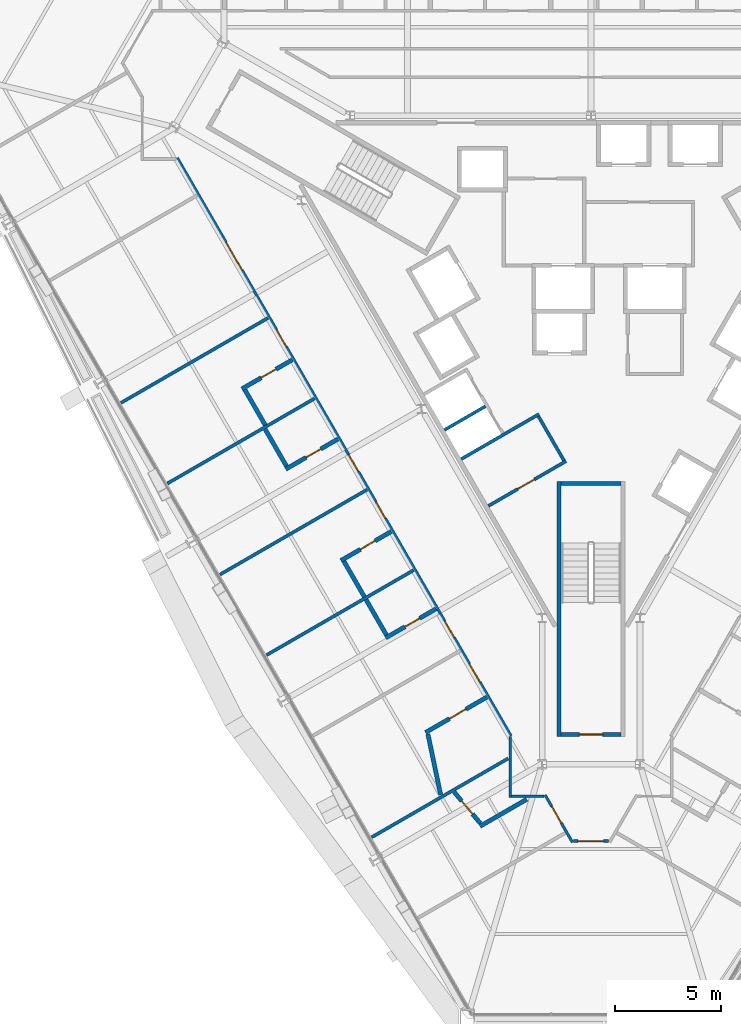
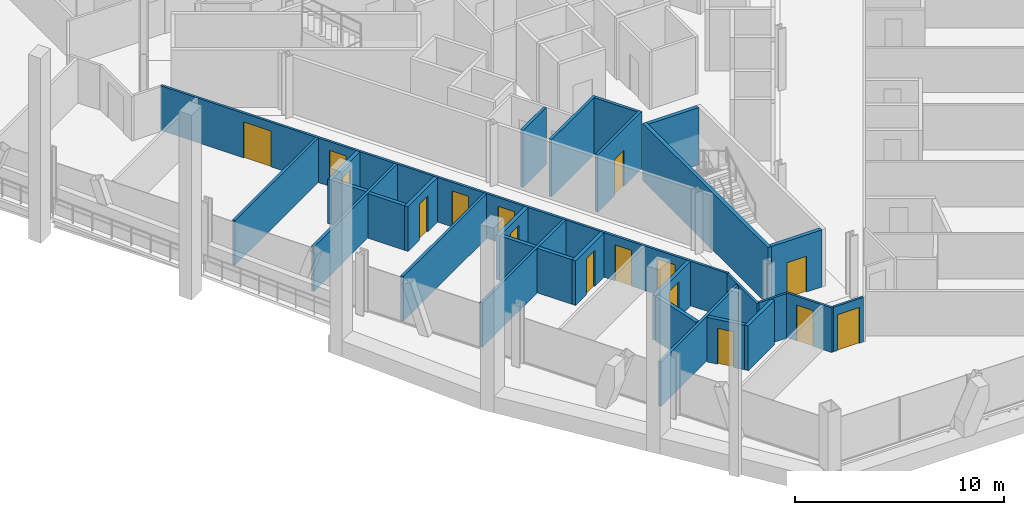
# One storey, part 11 of 19: 29 walls, 16 doors, 16 openings.
"""IFC4 building model written with IfcOpenShell, lengths in metres."""

from ifc_helpers import new_model, si_unit, direction, frame, frame_2d, origin, place, context, subcontext, project, spatial, rectangle, extrude, material, layer, layer_set, type_object, element, fill, save


model = new_model("IFC4")

# Units and contexts
model_context = context("Model", 3, precision=1e-05, world=origin(), true_north=direction((0.0, 1.0)))
body_context = subcontext(model_context, "Body", "Model", "MODEL_VIEW")
ifc_project = project(units=[si_unit("LENGTHUNIT", "METRE"), si_unit("AREAUNIT", "SQUARE_METRE"), si_unit("VOLUMEUNIT", "CUBIC_METRE"), si_unit("PLANEANGLEUNIT", "RADIAN"), si_unit("MASSUNIT", "GRAM", prefix="KILO")], contexts=[model_context])

# Site, building, storey
site_placement = place(None, origin())
site = spatial("IfcSite", under=ifc_project, at=site_placement, CompositionType="ELEMENT")
building_placement = place(site_placement, origin())
building = spatial("IfcBuilding", under=site, at=building_placement, Name="Verrane Prism Tower", CompositionType="ELEMENT")
storey_placement = place(building_placement, frame((0.0, 0.0, 76.39990234375)))
storey = spatial("IfcBuildingStorey", under=building, at=storey_placement, Name="L17", CompositionType="ELEMENT", Elevation=76.39990234375)

# Wall, opening, door
ifc_material_1 = material(Name="Concrete C40/50", Category="concrete")
ifc_layer_1 = layer(ifc_material_1, 0.199951171875)
ifc_layer_set_1 = layer_set([ifc_layer_1], Name="CW-200 stair core wall concrete C40/50 3 h")
wall_type_1 = type_object("IfcWallType", Name="CW-200 stair core wall concrete C40/50 3 h", PredefinedType="PARTITIONING", material=ifc_layer_set_1)
wall_1_placement = place(storey_placement, frame((-1.39990234375, -19.89990234375, 0.0), z_axis=(0.0, 0.0, 1.0), x_axis=(1.0, 0.0, 0.0)))
wall_1 = element("IfcWall", 1, at=wall_1_placement, inside=storey, type_object=wall_type_1, Name="Stair 3 enclosure wall", PredefinedType="PARTITIONING", context=body_context, shape_type="SweptSolid", body=[
    extrude(rectangle(XDim=2.7998046875, YDim=0.199951171875, at=frame_2d((1.39990234375, 0.0))), origin(), (0.0, 0.0, 1.0), 3.35009765625),
])
opening_1_placement = place(wall_1_placement, frame((0.85009765625, 0.0, 0.0)))
opening_1 = element("IfcOpeningElement", 2, at=opening_1_placement, cuts=wall_1, Name="Opening D17502", PredefinedType="OPENING", context=body_context, shape_type="SweptSolid", body=[
    extrude(rectangle(XDim=1.10009765625, YDim=2.10009765625, at=frame_2d((0.550048828125, 1.050048828125))), frame((0.0, 0.10986328125, 0.0), z_axis=(0.0, -1.0, 0.0), x_axis=(1.0, 0.0, 0.0)), (0.0, 0.0, 1.0), 0.219970703125),
])
ifc_material_2 = material(Name="Timber veneered door leaf", Category="wood")
door_type_1 = type_object("IfcDoorType", Name="DR-1100x2100 FD90 single leaf stair", OperationType="NOTDEFINED", PredefinedType="DOOR", material=ifc_material_2)
door_1_placement = place(opening_1_placement, origin())
door_1 = element("IfcDoor", 3, at=door_1_placement, inside=storey, type_object=door_type_1, Name="Stair 3 door", OperationType="SINGLE_SWING_LEFT", OverallHeight=2.10009765625, OverallWidth=1.10009765625, PredefinedType="DOOR", context=body_context, shape_type="SweptSolid", body=[
    extrude(rectangle(XDim=1.10009765625, YDim=2.10009765625, at=frame_2d((0.550048828125, 1.050048828125))), frame((0.0, 0.02490234375, 0.0), z_axis=(0.0, -1.0, 0.0), x_axis=(1.0, 0.0, 0.0)), (0.0, 0.0, 1.0), 0.050048828125),
])
fill(opening_1, door_1)

# Walls
wall_2_placement = place(storey_placement, frame((-1.5, -8.0, 0.0), z_axis=(0.0, 0.0, 1.0), x_axis=(0.0, -1.0, 0.0)))
element("IfcWall", 4, at=wall_2_placement, inside=storey, type_object=wall_type_1, Name="Stair 3 enclosure wall", PredefinedType="PARTITIONING", context=body_context, shape_type="SweptSolid", body=[
    extrude(rectangle(XDim=12.0, YDim=0.199951171875, at=frame_2d((6.0, 0.0))), origin(), (0.0, 0.0, 1.0), 3.35009765625),
])
wall_3_placement = place(storey_placement, frame((-1.39990234375, -8.10009765625, 0.0), z_axis=(0.0, 0.0, 1.0), x_axis=(1.0, 0.0, 0.0)))
element("IfcWall", 5, at=wall_3_placement, inside=storey, type_object=wall_type_1, Name="Stair 3 enclosure wall", PredefinedType="PARTITIONING", context=body_context, shape_type="SweptSolid", body=[
    extrude(rectangle(XDim=2.7998046875, YDim=0.199951171875, at=frame_2d((1.39990234375, 0.0))), origin(), (0.0, 0.0, 1.0), 3.35009765625),
])

# Wall, openings, doors
ifc_material_3 = material(Name="Gypsum board partition", Category="other")
ifc_layer_2 = layer(ifc_material_3, 0.125)
ifc_layer_set_2 = layer_set([ifc_layer_2], Name="PW-125 corridor wall 1 h")
wall_type_2 = type_object("IfcWallType", Name="PW-125 corridor wall 1 h", PredefinedType="PARTITIONING", material=ifc_layer_set_2)
wall_4_placement = place(storey_placement, frame((-3.765869140625, -19.9580078125, 0.0), z_axis=(0.0, 0.0, 1.0), x_axis=(-0.50002170027, 0.866012874765, 0.0)))
wall_4 = element("IfcWall", 6, at=wall_4_placement, inside=storey, type_object=wall_type_2, Name="Corridor wall 012", PredefinedType="PARTITIONING", context=body_context, shape_type="SweptSolid", body=[
    extrude(rectangle(XDim=31.37939453125, YDim=0.125, at=frame_2d((15.689697265625, 0.0))), origin(), (0.0, 0.0, 1.0), 2.613037109375),
])
opening_2_placement = place(wall_4_placement, frame((25.2802734375, 0.0, 0.0)))
opening_2 = element("IfcOpeningElement", 7, at=opening_2_placement, cuts=wall_4, Name="Opening D17036", PredefinedType="OPENING", context=body_context, shape_type="SweptSolid", body=[
    extrude(rectangle(XDim=1.5, YDim=2.10009765625, at=frame_2d((0.75, 1.050048828125))), frame((0.0, 0.072509765625, 0.0), z_axis=(0.0, -1.0, 0.0), x_axis=(1.0, 0.0, 0.0)), (0.0, 0.0, 1.0), 0.14501953125),
])
opening_3_placement = place(wall_4_placement, frame((21.124267578125, 0.0, 0.0)))
opening_3 = element("IfcOpeningElement", 8, at=opening_3_placement, cuts=wall_4, Name="Opening D17037", PredefinedType="OPENING", context=body_context, shape_type="SweptSolid", body=[
    extrude(rectangle(XDim=0.89990234375, YDim=2.10009765625, at=frame_2d((0.449951171875, 1.050048828125))), frame((0.0, 0.072509765625, 0.0), z_axis=(0.0, -1.0, 0.0), x_axis=(1.0, 0.0, 0.0)), (0.0, 0.0, 1.0), 0.14501953125),
])
opening_4_placement = place(wall_4_placement, frame((14.34912109375, 0.0, 0.0)))
opening_4 = element("IfcOpeningElement", 9, at=opening_4_placement, cuts=wall_4, Name="Opening D17039", PredefinedType="OPENING", context=body_context, shape_type="SweptSolid", body=[
    extrude(rectangle(XDim=0.89990234375, YDim=2.10009765625, at=frame_2d((0.449951171875, 1.050048828125))), frame((0.0, 0.072509765625, 0.0), z_axis=(0.0, -1.0, 0.0), x_axis=(1.0, 0.0, 0.0)), (0.0, 0.0, 1.0), 0.14501953125),
])
opening_5_placement = place(wall_4_placement, frame((11.80419921875, 0.0, 0.0)))
opening_5 = element("IfcOpeningElement", 10, at=opening_5_placement, cuts=wall_4, Name="Opening D17041", PredefinedType="OPENING", context=body_context, shape_type="SweptSolid", body=[
    extrude(rectangle(XDim=0.89990234375, YDim=2.10009765625, at=frame_2d((0.449951171875, 1.050048828125))), frame((0.0, 0.072509765625, 0.0), z_axis=(0.0, -1.0, 0.0), x_axis=(1.0, 0.0, 0.0)), (0.0, 0.0, 1.0), 0.14501953125),
])
opening_6_placement = place(wall_4_placement, frame((5.330322265625, 0.0, 0.0)))
opening_6 = element("IfcOpeningElement", 11, at=opening_6_placement, cuts=wall_4, Name="Opening D17043", PredefinedType="OPENING", context=body_context, shape_type="SweptSolid", body=[
    extrude(rectangle(XDim=0.89990234375, YDim=2.10009765625, at=frame_2d((0.449951171875, 1.050048828125))), frame((0.0, 0.072509765625, 0.0), z_axis=(0.0, -1.0, 0.0), x_axis=(1.0, 0.0, 0.0)), (0.0, 0.0, 1.0), 0.14501953125),
])
opening_7_placement = place(wall_4_placement, frame((2.90625, 0.0, 0.0)))
opening_7 = element("IfcOpeningElement", 12, at=opening_7_placement, cuts=wall_4, Name="Opening D17045", PredefinedType="OPENING", context=body_context, shape_type="SweptSolid", body=[
    extrude(rectangle(XDim=1.0, YDim=2.10009765625, at=frame_2d((0.5, 1.050048828125))), frame((0.0, 0.072509765625, 0.0), z_axis=(0.0, -1.0, 0.0), x_axis=(1.0, 0.0, 0.0)), (0.0, 0.0, 1.0), 0.14501953125),
])
ifc_material_4 = material(Name="Timber veneered door leaf", Category="wood")
door_type_2 = type_object("IfcDoorType", Name="DR-1000x2100 FD20 single leaf unit", OperationType="NOTDEFINED", PredefinedType="DOOR", material=ifc_material_4)
door_2_placement = place(opening_7_placement, origin())
door_2 = element("IfcDoor", 13, at=door_2_placement, inside=storey, type_object=door_type_2, Name="Accessible Guest Room door", OperationType="SINGLE_SWING_RIGHT", OverallHeight=2.10009765625, OverallWidth=1.0, PredefinedType="DOOR", context=body_context, shape_type="SweptSolid", body=[
    extrude(rectangle(XDim=1.0, YDim=2.10009765625, at=frame_2d((0.5, 1.050048828125))), frame((0.0, 0.02490234375, 0.0), z_axis=(0.0, -1.0, 0.0), x_axis=(1.0, 0.0, 0.0)), (0.0, 0.0, 1.0), 0.050048828125),
])
fill(opening_7, door_2)
ifc_material_5 = material(Name="Timber veneered door leaf", Category="wood")
door_type_3 = type_object("IfcDoorType", Name="DR-1500x2100 FD20 double leaf public", OperationType="NOTDEFINED", PredefinedType="DOOR", material=ifc_material_5)
door_3_placement = place(opening_2_placement, origin())
door_3 = element("IfcDoor", 14, at=door_3_placement, inside=storey, type_object=door_type_3, Name="Meeting Room door", OperationType="DOUBLE_DOOR_SINGLE_SWING", OverallHeight=2.10009765625, OverallWidth=1.5, PredefinedType="DOOR", context=body_context, shape_type="SweptSolid", body=[
    extrude(rectangle(XDim=1.5, YDim=2.10009765625, at=frame_2d((0.75, 1.050048828125))), frame((0.0, 0.02490234375, 0.0), z_axis=(0.0, -1.0, 0.0), x_axis=(1.0, 0.0, 0.0)), (0.0, 0.0, 1.0), 0.050048828125),
])
fill(opening_2, door_3)
ifc_material_6 = material(Name="Timber veneered door leaf", Category="wood")
door_type_4 = type_object("IfcDoorType", Name="DR-900x2100 FD20 single leaf unit", OperationType="NOTDEFINED", PredefinedType="DOOR", material=ifc_material_6)
door_4_placement = place(opening_3_placement, origin())
door_4 = element("IfcDoor", 15, at=door_4_placement, inside=storey, type_object=door_type_4, Name="Guest Room door", OperationType="SINGLE_SWING_RIGHT", OverallHeight=2.10009765625, OverallWidth=0.89990234375, PredefinedType="DOOR", context=body_context, shape_type="SweptSolid", body=[
    extrude(rectangle(XDim=0.89990234375, YDim=2.10009765625, at=frame_2d((0.449951171875, 1.050048828125))), frame((0.0, 0.02490234375, 0.0), z_axis=(0.0, -1.0, 0.0), x_axis=(1.0, 0.0, 0.0)), (0.0, 0.0, 1.0), 0.050048828125),
])
fill(opening_3, door_4)
door_5_placement = place(opening_4_placement, origin())
door_5 = element("IfcDoor", 16, at=door_5_placement, inside=storey, type_object=door_type_4, Name="Guest Room door", OperationType="SINGLE_SWING_RIGHT", OverallHeight=2.10009765625, OverallWidth=0.89990234375, PredefinedType="DOOR", context=body_context, shape_type="SweptSolid", body=[
    extrude(rectangle(XDim=0.89990234375, YDim=2.10009765625, at=frame_2d((0.449951171875, 1.050048828125))), frame((0.0, 0.02490234375, 0.0), z_axis=(0.0, -1.0, 0.0), x_axis=(1.0, 0.0, 0.0)), (0.0, 0.0, 1.0), 0.050048828125),
])
fill(opening_4, door_5)
door_6_placement = place(opening_5_placement, origin())
door_6 = element("IfcDoor", 17, at=door_6_placement, inside=storey, type_object=door_type_4, Name="Guest Room door", OperationType="SINGLE_SWING_RIGHT", OverallHeight=2.10009765625, OverallWidth=0.89990234375, PredefinedType="DOOR", context=body_context, shape_type="SweptSolid", body=[
    extrude(rectangle(XDim=0.89990234375, YDim=2.10009765625, at=frame_2d((0.449951171875, 1.050048828125))), frame((0.0, 0.02490234375, 0.0), z_axis=(0.0, -1.0, 0.0), x_axis=(1.0, 0.0, 0.0)), (0.0, 0.0, 1.0), 0.050048828125),
])
fill(opening_5, door_6)
door_7_placement = place(opening_6_placement, origin())
door_7 = element("IfcDoor", 18, at=door_7_placement, inside=storey, type_object=door_type_4, Name="Guest Room door", OperationType="SINGLE_SWING_RIGHT", OverallHeight=2.10009765625, OverallWidth=0.89990234375, PredefinedType="DOOR", context=body_context, shape_type="SweptSolid", body=[
    extrude(rectangle(XDim=0.89990234375, YDim=2.10009765625, at=frame_2d((0.449951171875, 1.050048828125))), frame((0.0, 0.02490234375, 0.0), z_axis=(0.0, -1.0, 0.0), x_axis=(1.0, 0.0, 0.0)), (0.0, 0.0, 1.0), 0.050048828125),
])
fill(opening_6, door_7)

# Walls
wall_5_placement = place(storey_placement, frame((-3.797119140625, -22.859619140625, 0.0), z_axis=(0.0, 0.0, 1.0), x_axis=(0.0, 1.0, 0.0)))
element("IfcWall", 19, at=wall_5_placement, inside=storey, type_object=wall_type_2, Name="Corridor wall 041", PredefinedType="PARTITIONING", context=body_context, shape_type="SweptSolid", body=[
    extrude(rectangle(XDim=2.87060546875, YDim=0.125, at=frame_2d((1.435302734375, 0.0))), origin(), (0.0, 0.0, 1.0), 2.613037109375),
])
wall_6_placement = place(storey_placement, frame((-3.73193359375, -22.797119140625, 0.0), z_axis=(0.0, 0.0, 1.0), x_axis=(1.0, 0.0, 0.0)))
element("IfcWall", 20, at=wall_6_placement, inside=storey, type_object=wall_type_2, Name="Corridor wall 042", PredefinedType="PARTITIONING", context=body_context, shape_type="SweptSolid", body=[
    extrude(rectangle(XDim=1.52001953125, YDim=0.125, at=frame_2d((0.760009765625, 0.0))), origin(), (0.0, 0.0, 1.0), 2.613037109375),
])

# Wall, opening, door
wall_7_placement = place(storey_placement, frame((-0.876708984375, -24.962158203125, 0.0), z_axis=(0.0, 0.0, 1.0), x_axis=(-0.500063308241, 0.865988849669, 0.0)))
wall_7 = element("IfcWall", 21, at=wall_7_placement, inside=storey, type_object=wall_type_2, Name="Corridor wall 043", PredefinedType="PARTITIONING", context=body_context, shape_type="SweptSolid", body=[
    extrude(rectangle(XDim=2.562744140625, YDim=0.125, at=frame_2d((1.28125, 0.0))), origin(), (0.0, 0.0, 1.0), 2.613037109375),
])
opening_8_placement = place(wall_7_placement, frame((1.05029296875, 0.0, 0.0)))
opening_8 = element("IfcOpeningElement", 22, at=opening_8_placement, cuts=wall_7, Name="Opening D17047", PredefinedType="OPENING", context=body_context, shape_type="SweptSolid", body=[
    extrude(rectangle(XDim=0.89990234375, YDim=2.10009765625, at=frame_2d((0.449951171875, 1.050048828125))), frame((0.0, 0.072509765625, 0.0), z_axis=(0.0, -1.0, 0.0), x_axis=(1.0, 0.0, 0.0)), (0.0, 0.0, 1.0), 0.14501953125),
])
door_8_placement = place(opening_8_placement, origin())
door_8 = element("IfcDoor", 23, at=door_8_placement, inside=storey, type_object=door_type_4, Name="Guest Room door", OperationType="SINGLE_SWING_RIGHT", OverallHeight=2.10009765625, OverallWidth=0.89990234375, PredefinedType="DOOR", context=body_context, shape_type="SweptSolid", body=[
    extrude(rectangle(XDim=0.89990234375, YDim=2.10009765625, at=frame_2d((0.449951171875, 1.050048828125))), frame((0.0, 0.02490234375, 0.0), z_axis=(0.0, -1.0, 0.0), x_axis=(1.0, 0.0, 0.0)), (0.0, 0.0, 1.0), 0.050048828125),
])
fill(opening_8, door_8)

wall_8_placement = place(storey_placement, frame((0.822998046875, -24.907958984375, 0.0), z_axis=(0.0, 0.0, 1.0), x_axis=(-1.0, 0.0, 0.0)))
wall_8 = element("IfcWall", 24, at=wall_8_placement, inside=storey, type_object=wall_type_2, Name="Corridor wall 046", PredefinedType="PARTITIONING", context=body_context, shape_type="SweptSolid", body=[
    extrude(rectangle(XDim=1.64599609375, YDim=0.125, at=frame_2d((0.822998046875, 0.0))), origin(), (0.0, 0.0, 1.0), 2.613037109375),
])
opening_9_placement = place(wall_8_placement, frame((0.23095703125, 0.0, 0.0)))
opening_9 = element("IfcOpeningElement", 25, at=opening_9_placement, cuts=wall_8, Name="Opening D17049", PredefinedType="OPENING", context=body_context, shape_type="SweptSolid", body=[
    extrude(rectangle(XDim=1.199951171875, YDim=2.10009765625, at=frame_2d((0.60009765625, 1.050048828125))), frame((0.0, 0.072509765625, 0.0), z_axis=(0.0, -1.0, 0.0), x_axis=(1.0, 0.0, 0.0)), (0.0, 0.0, 1.0), 0.14501953125),
])
ifc_material_7 = material(Name="Timber veneered door leaf", Category="wood")
door_type_5 = type_object("IfcDoorType", Name="DR-1200x2100 FD20 single leaf public", OperationType="NOTDEFINED", PredefinedType="DOOR", material=ifc_material_7)
door_9_placement = place(opening_9_placement, origin())
door_9 = element("IfcDoor", 26, at=door_9_placement, inside=storey, type_object=door_type_5, Name="Executive Lounge door", OperationType="SINGLE_SWING_RIGHT", OverallHeight=2.10009765625, OverallWidth=1.199951171875, PredefinedType="DOOR", context=body_context, shape_type="SweptSolid", body=[
    extrude(rectangle(XDim=1.199951171875, YDim=2.10009765625, at=frame_2d((0.60009765625, 1.050048828125))), frame((0.0, 0.02490234375, 0.0), z_axis=(0.0, -1.0, 0.0), x_axis=(1.0, 0.0, 0.0)), (0.0, 0.0, 1.0), 0.050048828125),
])
fill(opening_9, door_9)

# Walls
ifc_material_8 = material(Name="Gypsum board partition", Category="other")
ifc_layer_3 = layer(ifc_material_8, 0.14990234375)
ifc_layer_set_3 = layer_set([ifc_layer_3], Name="PW-150 demising wall 1 h")
wall_type_3 = type_object("IfcWallType", Name="PW-150 demising wall 1 h", PredefinedType="PARTITIONING", material=ifc_layer_set_3)
wall_9_placement = place(storey_placement, frame((-22.10302734375, -4.30615234375, 0.0), z_axis=(0.0, 0.0, 1.0), x_axis=(0.866016576429, 0.500015289116, 0.0)))
element("IfcWall", 27, at=wall_9_placement, inside=storey, type_object=wall_type_3, Name="Demising wall 003", PredefinedType="PARTITIONING", context=body_context, shape_type="SweptSolid", body=[
    extrude(rectangle(XDim=7.986572265625, YDim=0.14990234375, at=frame_2d((3.9931640625, 0.0))), origin(), (0.0, 0.0, 1.0), 2.613037109375),
])
for number, where, z_axis, x_axis, name in (
    (28, (-19.91552734375, -8.094970703125, 0.0), (0.0, 0.0, 1.0), (0.865953574939, 0.500124390578, 0.0), "Demising wall 011"),
    (29, (-17.443115234375, -12.377197265625, 0.0), (0.0, 0.0, 1.0), (0.866021771655, 0.500006290979, 0.0), "Demising wall 013"),
    (30, (-15.256103515625, -16.165283203125, 0.0), (0.0, 0.0, 1.0), (0.866008543052, 0.500029202507, 0.0), "Demising wall 018"),
):
    element("IfcWall", number, at=place(storey_placement, frame(where, z_axis=z_axis, x_axis=x_axis)), inside=storey, type_object=wall_type_3, Name=name, PredefinedType="PARTITIONING", context=body_context, shape_type="SweptSolid", body=[
        extrude(rectangle(XDim=7.99169921875, YDim=0.14990234375, at=frame_2d((3.995849609375, 0.0))), origin(), (0.0, 0.0, 1.0), 2.613037109375),
    ])
wall_10_placement = place(storey_placement, frame((-10.31103515625, -24.730224609375, 0.0), z_axis=(0.0, 0.0, 1.0), x_axis=(0.8660132178, 0.500021106151, 0.0)))
element("IfcWall", 31, at=wall_10_placement, inside=storey, type_object=wall_type_3, Name="Demising wall 030", PredefinedType="PARTITIONING", context=body_context, shape_type="SweptSolid", body=[
    extrude(rectangle(XDim=7.406494140625, YDim=0.14990234375, at=frame_2d((3.703125, 0.0))), origin(), (0.0, 0.0, 1.0), 2.613037109375),
])
ifc_material_9 = material(Name="Gypsum board partition", Category="other")
ifc_layer_4 = layer(ifc_material_9, 0.199951171875)
ifc_layer_set_4 = layer_set([ifc_layer_4], Name="PW-200 plumbing wall")
wall_type_4 = type_object("IfcWallType", Name="PW-200 plumbing wall", PredefinedType="PARTITIONING", material=ifc_layer_set_4)
wall_11_placement = place(storey_placement, frame((-16.279052734375, -3.685546875, 0.0), z_axis=(0.0, 0.0, 1.0), x_axis=(0.500190942922, -0.865915134767, 0.0)))
element("IfcWall", 32, at=wall_11_placement, inside=storey, type_object=wall_type_4, Name="Plumbing wall 015", PredefinedType="PARTITIONING", context=body_context, shape_type="SweptSolid", body=[
    extrude(rectangle(XDim=1.924560546875, YDim=0.199951171875, at=frame_2d((0.96240234375, 0.0))), origin(), (0.0, 0.0, 1.0), 2.613037109375),
])

# Wall, opening, door
wall_12_placement = place(storey_placement, frame((-14.045166015625, -2.2802734375, 0.0), z_axis=(0.0, 0.0, 1.0), x_axis=(-0.866005850709, -0.50003386539, 0.0)))
wall_12 = element("IfcWall", 33, at=wall_12_placement, inside=storey, type_object=wall_type_4, Name="Plumbing wall 016", PredefinedType="PARTITIONING", context=body_context, shape_type="SweptSolid", body=[
    extrude(rectangle(XDim=2.737060546875, YDim=0.199951171875, at=frame_2d((1.36865234375, 0.0))), origin(), (0.0, 0.0, 1.0), 2.613037109375),
])
opening_10_placement = place(wall_12_placement, frame((0.88720703125, 0.0, 0.0)))
opening_10 = element("IfcOpeningElement", 34, at=opening_10_placement, cuts=wall_12, Name="Opening D17038", PredefinedType="OPENING", context=body_context, shape_type="SweptSolid", body=[
    extrude(rectangle(XDim=0.800048828125, YDim=2.10009765625, at=frame_2d((0.39990234375, 1.050048828125))), frame((0.0, 0.10986328125, 0.0), z_axis=(0.0, -1.0, 0.0), x_axis=(1.0, 0.0, 0.0)), (0.0, 0.0, 1.0), 0.219970703125),
])
ifc_material_10 = material(Name="Timber veneered door leaf", Category="wood")
door_type_6 = type_object("IfcDoorType", Name="DR-800x2100 single leaf bath", OperationType="NOTDEFINED", PredefinedType="DOOR", material=ifc_material_10)
door_10_placement = place(opening_10_placement, origin())
door_10 = element("IfcDoor", 35, at=door_10_placement, inside=storey, type_object=door_type_6, Name="En-Suite door", OperationType="SINGLE_SWING_LEFT", OverallHeight=2.10009765625, OverallWidth=0.800048828125, PredefinedType="DOOR", context=body_context, shape_type="SweptSolid", body=[
    extrude(rectangle(XDim=0.800048828125, YDim=2.10009765625, at=frame_2d((0.39990234375, 1.050048828125))), frame((0.0, 0.02490234375, 0.0), z_axis=(0.0, -1.0, 0.0), x_axis=(1.0, 0.0, 0.0)), (0.0, 0.0, 1.0), 0.050048828125),
])
fill(opening_10, door_10)

# Wall
wall_13_placement = place(storey_placement, frame((-15.325927734375, -5.536376953125, 0.0), z_axis=(0.0, 0.0, 1.0), x_axis=(0.499868889286, -0.866101087359, 0.0)))
element("IfcWall", 36, at=wall_13_placement, inside=storey, type_object=wall_type_4, Name="Plumbing wall 017", PredefinedType="PARTITIONING", context=body_context, shape_type="SweptSolid", body=[
    extrude(rectangle(XDim=2.0205078125, YDim=0.199951171875, at=frame_2d((1.01025390625, 0.0))), origin(), (0.0, 0.0, 1.0), 2.613037109375),
])

# Wall, opening, door
wall_14_placement = place(storey_placement, frame((-14.3525390625, -7.423095703125, 0.0), z_axis=(0.0, 0.0, 1.0), x_axis=(0.866010792954, 0.500025305846, 0.0)))
wall_14 = element("IfcWall", 37, at=wall_14_placement, inside=storey, type_object=wall_type_4, Name="Plumbing wall 022", PredefinedType="PARTITIONING", context=body_context, shape_type="SweptSolid", body=[
    extrude(rectangle(XDim=2.837646484375, YDim=0.199951171875, at=frame_2d((1.4189453125, 0.0))), origin(), (0.0, 0.0, 1.0), 2.613037109375),
])
opening_11_placement = place(wall_14_placement, frame((1.10009765625, 0.0, 0.0)))
opening_11 = element("IfcOpeningElement", 38, at=opening_11_placement, cuts=wall_14, Name="Opening D17040", PredefinedType="OPENING", context=body_context, shape_type="SweptSolid", body=[
    extrude(rectangle(XDim=0.800048828125, YDim=2.10009765625, at=frame_2d((0.39990234375, 1.050048828125))), frame((0.0, 0.10986328125, 0.0), z_axis=(0.0, -1.0, 0.0), x_axis=(1.0, 0.0, 0.0)), (0.0, 0.0, 1.0), 0.219970703125),
])
door_11_placement = place(opening_11_placement, origin())
door_11 = element("IfcDoor", 39, at=door_11_placement, inside=storey, type_object=door_type_6, Name="En-Suite door", OperationType="SINGLE_SWING_RIGHT", OverallHeight=2.10009765625, OverallWidth=0.800048828125, PredefinedType="DOOR", context=body_context, shape_type="SweptSolid", body=[
    extrude(rectangle(XDim=0.800048828125, YDim=2.10009765625, at=frame_2d((0.39990234375, 1.050048828125))), frame((0.0, 0.02490234375, 0.0), z_axis=(0.0, -1.0, 0.0), x_axis=(1.0, 0.0, 0.0)), (0.0, 0.0, 1.0), 0.050048828125),
])
fill(opening_11, door_11)

# Wall
wall_15_placement = place(storey_placement, frame((-11.618896484375, -11.756591796875, 0.0), z_axis=(0.0, 0.0, 1.0), x_axis=(0.500133489192, -0.865948320045, 0.0)))
element("IfcWall", 40, at=wall_15_placement, inside=storey, type_object=wall_type_4, Name="Plumbing wall 027", PredefinedType="PARTITIONING", context=body_context, shape_type="SweptSolid", body=[
    extrude(rectangle(XDim=1.91943359375, YDim=0.199951171875, at=frame_2d((0.959716796875, 0.0))), origin(), (0.0, 0.0, 1.0), 2.613037109375),
])

# Wall, opening, door
wall_16_placement = place(storey_placement, frame((-9.389404296875, -10.352783203125, 0.0), z_axis=(0.0, 0.0, 1.0), x_axis=(-0.865858193421, -0.500289505072, 0.0)))
wall_16 = element("IfcWall", 41, at=wall_16_placement, inside=storey, type_object=wall_type_4, Name="Plumbing wall 028", PredefinedType="PARTITIONING", context=body_context, shape_type="SweptSolid", body=[
    extrude(rectangle(XDim=2.73291015625, YDim=0.199951171875, at=frame_2d((1.366455078125, 0.0))), origin(), (0.0, 0.0, 1.0), 2.613037109375),
])
opening_12_placement = place(wall_16_placement, frame((0.8828125, 0.0, 0.0)))
opening_12 = element("IfcOpeningElement", 42, at=opening_12_placement, cuts=wall_16, Name="Opening D17042", PredefinedType="OPENING", context=body_context, shape_type="SweptSolid", body=[
    extrude(rectangle(XDim=0.800048828125, YDim=2.10009765625, at=frame_2d((0.39990234375, 1.050048828125))), frame((0.0, 0.10986328125, 0.0), z_axis=(0.0, -1.0, 0.0), x_axis=(1.0, 0.0, 0.0)), (0.0, 0.0, 1.0), 0.219970703125),
])
door_12_placement = place(opening_12_placement, origin())
door_12 = element("IfcDoor", 43, at=door_12_placement, inside=storey, type_object=door_type_6, Name="En-Suite door", OperationType="SINGLE_SWING_LEFT", OverallHeight=2.10009765625, OverallWidth=0.800048828125, PredefinedType="DOOR", context=body_context, shape_type="SweptSolid", body=[
    extrude(rectangle(XDim=0.800048828125, YDim=2.10009765625, at=frame_2d((0.39990234375, 1.050048828125))), frame((0.0, 0.02490234375, 0.0), z_axis=(0.0, -1.0, 0.0), x_axis=(1.0, 0.0, 0.0)), (0.0, 0.0, 1.0), 0.050048828125),
])
fill(opening_12, door_12)

# Wall
wall_17_placement = place(storey_placement, frame((-10.58154296875, -13.552978515625, 0.0), z_axis=(0.0, 0.0, 1.0), x_axis=(0.499971247393, -0.866042003473, 0.0)))
element("IfcWall", 44, at=wall_17_placement, inside=storey, type_object=wall_type_4, Name="Plumbing wall 029", PredefinedType="PARTITIONING", context=body_context, shape_type="SweptSolid", body=[
    extrude(rectangle(XDim=1.92529296875, YDim=0.199951171875, at=frame_2d((0.962646484375, 0.0))), origin(), (0.0, 0.0, 1.0), 2.613037109375),
])

# Wall, opening, door
wall_18_placement = place(storey_placement, frame((-9.655517578125, -15.35693359375, 0.0), z_axis=(0.0, 0.0, 1.0), x_axis=(0.866005850709, 0.50003386539, 0.0)))
wall_18 = element("IfcWall", 45, at=wall_18_placement, inside=storey, type_object=wall_type_4, Name="Plumbing wall 033", PredefinedType="PARTITIONING", context=body_context, shape_type="SweptSolid", body=[
    extrude(rectangle(XDim=2.737060546875, YDim=0.199951171875, at=frame_2d((1.36865234375, 0.0))), origin(), (0.0, 0.0, 1.0), 2.613037109375),
])
opening_13_placement = place(wall_18_placement, frame((1.050048828125, 0.0, 0.0)))
opening_13 = element("IfcOpeningElement", 46, at=opening_13_placement, cuts=wall_18, Name="Opening D17044", PredefinedType="OPENING", context=body_context, shape_type="SweptSolid", body=[
    extrude(rectangle(XDim=0.800048828125, YDim=2.10009765625, at=frame_2d((0.39990234375, 1.050048828125))), frame((0.0, 0.10986328125, 0.0), z_axis=(0.0, -1.0, 0.0), x_axis=(1.0, 0.0, 0.0)), (0.0, 0.0, 1.0), 0.219970703125),
])
door_13_placement = place(opening_13_placement, origin())
door_13 = element("IfcDoor", 47, at=door_13_placement, inside=storey, type_object=door_type_6, Name="En-Suite door", OperationType="SINGLE_SWING_RIGHT", OverallHeight=2.10009765625, OverallWidth=0.800048828125, PredefinedType="DOOR", context=body_context, shape_type="SweptSolid", body=[
    extrude(rectangle(XDim=0.800048828125, YDim=2.10009765625, at=frame_2d((0.39990234375, 1.050048828125))), frame((0.0, 0.02490234375, 0.0), z_axis=(0.0, -1.0, 0.0), x_axis=(1.0, 0.0, 0.0)), (0.0, 0.0, 1.0), 0.050048828125),
])
fill(opening_13, door_13)

# Wall
wall_19_placement = place(storey_placement, frame((-7.66845703125, -19.87744140625, 0.0), z_axis=(0.0, 0.0, 1.0), x_axis=(0.204611748063, -0.978843211426, 0.0)))
element("IfcWall", 48, at=wall_19_placement, inside=storey, type_object=wall_type_4, Name="Plumbing wall 035", PredefinedType="PARTITIONING", context=body_context, shape_type="SweptSolid", body=[
    extrude(rectangle(XDim=2.9208984375, YDim=0.199951171875, at=frame_2d((1.46044921875, 0.0))), origin(), (0.0, 0.0, 1.0), 2.613037109375),
])

# Wall, opening, door
wall_20_placement = place(storey_placement, frame((-4.89013671875, -18.13623046875, 0.0), z_axis=(0.0, 0.0, 1.0), x_axis=(-0.866033317326, -0.499986293093, 0.0)))
wall_20 = element("IfcWall", 49, at=wall_20_placement, inside=storey, type_object=wall_type_4, Name="Plumbing wall 036", PredefinedType="PARTITIONING", context=body_context, shape_type="SweptSolid", body=[
    extrude(rectangle(XDim=3.33740234375, YDim=0.199951171875, at=frame_2d((1.668701171875, 0.0))), origin(), (0.0, 0.0, 1.0), 2.613037109375),
])
opening_14_placement = place(wall_20_placement, frame((1.1376953125, 0.0, 0.0)))
opening_14 = element("IfcOpeningElement", 50, at=opening_14_placement, cuts=wall_20, Name="Opening D17046", PredefinedType="OPENING", context=body_context, shape_type="SweptSolid", body=[
    extrude(rectangle(XDim=0.89990234375, YDim=2.10009765625, at=frame_2d((0.449951171875, 1.050048828125))), frame((0.0, 0.10986328125, 0.0), z_axis=(0.0, -1.0, 0.0), x_axis=(1.0, 0.0, 0.0)), (0.0, 0.0, 1.0), 0.219970703125),
])
ifc_material_11 = material(Name="Timber veneered door leaf", Category="wood")
door_type_7 = type_object("IfcDoorType", Name="DR-900x2100 single leaf bath", OperationType="NOTDEFINED", PredefinedType="DOOR", material=ifc_material_11)
door_14_placement = place(opening_14_placement, origin())
door_14 = element("IfcDoor", 51, at=door_14_placement, inside=storey, type_object=door_type_7, Name="En-Suite door", OperationType="SINGLE_SWING_LEFT", OverallHeight=2.10009765625, OverallWidth=0.89990234375, PredefinedType="DOOR", context=body_context, shape_type="SweptSolid", body=[
    extrude(rectangle(XDim=0.89990234375, YDim=2.10009765625, at=frame_2d((0.449951171875, 1.050048828125))), frame((0.0, 0.02490234375, 0.0), z_axis=(0.0, -1.0, 0.0), x_axis=(1.0, 0.0, 0.0)), (0.0, 0.0, 1.0), 0.050048828125),
])
fill(opening_14, door_14)

wall_21_placement = place(storey_placement, frame((-6.43701171875, -22.599853515625, 0.0), z_axis=(0.0, 0.0, 1.0), x_axis=(0.640970893908, -0.76756518496, 0.0)))
wall_21 = element("IfcWall", 52, at=wall_21_placement, inside=storey, type_object=wall_type_4, Name="Plumbing wall 038", PredefinedType="PARTITIONING", context=body_context, shape_type="SweptSolid", body=[
    extrude(rectangle(XDim=1.9228515625, YDim=0.199951171875, at=frame_2d((0.96142578125, 0.0))), origin(), (0.0, 0.0, 1.0), 2.613037109375),
])
opening_15_placement = place(wall_21_placement, frame((0.556396484375, 0.0, 0.0)))
opening_15 = element("IfcOpeningElement", 53, at=opening_15_placement, cuts=wall_21, Name="Opening D17048", PredefinedType="OPENING", context=body_context, shape_type="SweptSolid", body=[
    extrude(rectangle(XDim=0.800048828125, YDim=2.10009765625, at=frame_2d((0.39990234375, 1.050048828125))), frame((0.0, 0.10986328125, 0.0), z_axis=(0.0, -1.0, 0.0), x_axis=(1.0, 0.0, 0.0)), (0.0, 0.0, 1.0), 0.219970703125),
])
door_15_placement = place(opening_15_placement, origin())
door_15 = element("IfcDoor", 54, at=door_15_placement, inside=storey, type_object=door_type_6, Name="En-Suite door", OperationType="SINGLE_SWING_RIGHT", OverallHeight=2.10009765625, OverallWidth=0.800048828125, PredefinedType="DOOR", context=body_context, shape_type="SweptSolid", body=[
    extrude(rectangle(XDim=0.800048828125, YDim=2.10009765625, at=frame_2d((0.39990234375, 1.050048828125))), frame((0.0, 0.02490234375, 0.0), z_axis=(0.0, -1.0, 0.0), x_axis=(1.0, 0.0, 0.0)), (0.0, 0.0, 1.0), 0.050048828125),
])
fill(opening_15, door_15)

# Walls
wall_22_placement = place(storey_placement, frame((-5.217529296875, -24.214111328125, 0.0), z_axis=(0.0, 0.0, 1.0), x_axis=(0.865922540442, 0.500178122226, 0.0)))
element("IfcWall", 55, at=wall_22_placement, inside=storey, type_object=wall_type_4, Name="Plumbing wall 039", PredefinedType="PARTITIONING", context=body_context, shape_type="SweptSolid", body=[
    extrude(rectangle(XDim=2.53515625, YDim=0.199951171875, at=frame_2d((1.267578125, 0.0))), origin(), (0.0, 0.0, 1.0), 2.613037109375),
])
ifc_material_12 = material(Name="Gypsum board partition", Category="other")
ifc_layer_5 = layer(ifc_material_12, 0.14990234375)
ifc_layer_set_5 = layer_set([ifc_layer_5], Name="RS-150 riser enclosure wall 1 h")
wall_type_5 = type_object("IfcWallType", Name="RS-150 riser enclosure wall 1 h", PredefinedType="PARTITIONING", material=ifc_layer_set_5)
wall_23_placement = place(storey_placement, frame((-6.892333984375, -5.58203125, 0.0), z_axis=(0.0, 0.0, 1.0), x_axis=(0.865944298464, 0.500140452231, 0.0)))
element("IfcWall", 56, at=wall_23_placement, inside=storey, type_object=wall_type_5, Name="Riser wall RS3-002", PredefinedType="PARTITIONING", context=body_context, shape_type="SweptSolid", body=[
    extrude(rectangle(XDim=2.224365234375, YDim=0.14990234375, at=frame_2d((1.1123046875, 0.0))), origin(), (0.0, 0.0, 1.0), 3.35009765625),
])
wall_24_placement = place(storey_placement, frame((-6.10009765625, -6.945556640625, 0.0), z_axis=(0.0, 0.0, 1.0), x_axis=(0.866038200431, 0.499977834903, 0.0)))
element("IfcWall", 57, at=wall_24_placement, inside=storey, type_object=wall_type_5, Name="Riser wall RS3-003", PredefinedType="PARTITIONING", context=body_context, shape_type="SweptSolid", body=[
    extrude(rectangle(XDim=4.220458984375, YDim=0.14990234375, at=frame_2d((2.1103515625, 0.0))), origin(), (0.0, 0.0, 1.0), 3.35009765625),
])

# Wall, opening, door
wall_25_placement = place(storey_placement, frame((-4.824951171875, -9.153564453125, 0.0), z_axis=(0.0, 0.0, 1.0), x_axis=(0.866023738697, 0.500002884005, 0.0)))
wall_25 = element("IfcWall", 58, at=wall_25_placement, inside=storey, type_object=wall_type_5, Name="Riser wall RS3-005", PredefinedType="PARTITIONING", context=body_context, shape_type="SweptSolid", body=[
    extrude(rectangle(XDim=4.22021484375, YDim=0.14990234375, at=frame_2d((2.110107421875, 0.0))), origin(), (0.0, 0.0, 1.0), 3.35009765625),
])
opening_16_placement = place(wall_25_placement, frame((1.594970703125, 0.0, 0.0)))
opening_16 = element("IfcOpeningElement", 59, at=opening_16_placement, cuts=wall_25, Name="Opening D17514", PredefinedType="OPENING", context=body_context, shape_type="SweptSolid", body=[
    extrude(rectangle(XDim=0.89990234375, YDim=2.10009765625, at=frame_2d((0.449951171875, 1.050048828125))), frame((0.0, 0.0849609375, 0.0), z_axis=(0.0, -1.0, 0.0), x_axis=(1.0, 0.0, 0.0)), (0.0, 0.0, 1.0), 0.169921875),
])
ifc_material_13 = material(Name="Timber veneered door leaf", Category="wood")
door_type_8 = type_object("IfcDoorType", Name="DR-900x2100 FD20 single leaf store", OperationType="NOTDEFINED", PredefinedType="DOOR", material=ifc_material_13)
door_16_placement = place(opening_16_placement, origin())
door_16 = element("IfcDoor", 60, at=door_16_placement, inside=storey, type_object=door_type_8, Name="Room door D17514", OperationType="SINGLE_SWING_LEFT", OverallHeight=2.10009765625, OverallWidth=0.89990234375, PredefinedType="DOOR", context=body_context, shape_type="SweptSolid", body=[
    extrude(rectangle(XDim=0.89990234375, YDim=2.10009765625, at=frame_2d((0.449951171875, 1.050048828125))), frame((0.0, 0.02490234375, 0.0), z_axis=(0.0, -1.0, 0.0), x_axis=(1.0, 0.0, 0.0)), (0.0, 0.0, 1.0), 0.050048828125),
])
fill(opening_16, door_16)

# Wall
wall_26_placement = place(storey_placement, frame((-2.472412109375, -4.93798828125, 0.0), z_axis=(0.0, 0.0, 1.0), x_axis=(0.500045362686, -0.865999212041, 0.0)))
element("IfcWall", 61, at=wall_26_placement, inside=storey, type_object=wall_type_5, Name="Riser wall RS3-006", PredefinedType="PARTITIONING", context=body_context, shape_type="SweptSolid", body=[
    extrude(rectangle(XDim=2.399658203125, YDim=0.14990234375, at=frame_2d((1.19970703125, 0.0))), origin(), (0.0, 0.0, 1.0), 3.35009765625),
])

save(model, "model.ifc")
